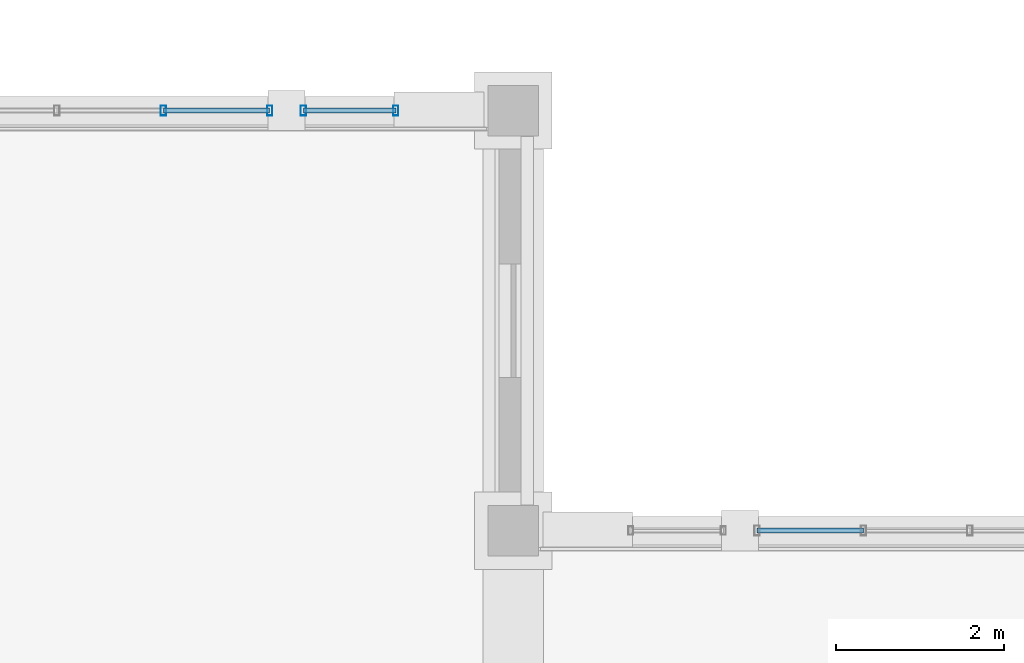
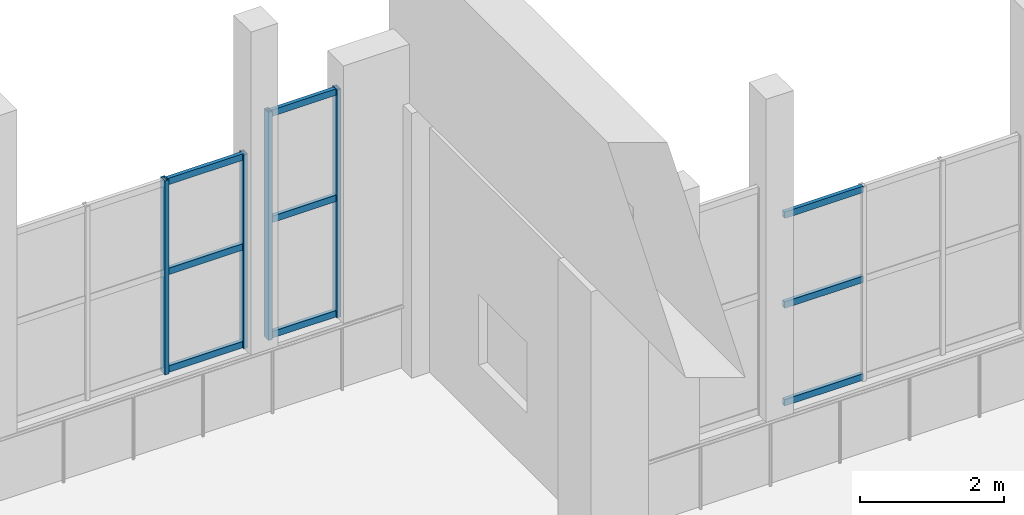
# One storey, part 16 of 46: 13 members, 3 elements without a shape of their own.
"""IFC4 building model written with IfcOpenShell, lengths in metres."""

from ifc_helpers import new_model, si_unit, direction, frame, origin, origin_2d, place, context, subcontext, project, spatial, hollow_rectangle, extrude, material, material_profile, profile_set, type_object, element, aggregate, save


model = new_model("IFC4")

# Units and contexts
model_context = context("Model", 3, precision=1e-05, world=origin(), true_north=direction((0.0, 1.0)))
body_context = subcontext(model_context, "Body", "Model", "MODEL_VIEW")
ifc_project = project(units=[si_unit("LENGTHUNIT", "METRE"), si_unit("AREAUNIT", "SQUARE_METRE"), si_unit("VOLUMEUNIT", "CUBIC_METRE"), si_unit("PLANEANGLEUNIT", "RADIAN"), si_unit("MASSUNIT", "GRAM", prefix="KILO")], contexts=[model_context])

# Site, building, storey
site_placement = place(None, origin())
site = spatial("IfcSite", under=ifc_project, at=site_placement, CompositionType="ELEMENT")
building_placement = place(site_placement, origin())
building = spatial("IfcBuilding", under=site, at=building_placement, Name="Mavantir Sound Aquarium", CompositionType="ELEMENT")
storey_placement = place(building_placement, frame((0.0, 0.0, 15.300048828125)))
storey = spatial("IfcBuildingStorey", under=building, at=storey_placement, Name="L03", CompositionType="ELEMENT", Elevation=15.300048828125)

# Curtain wall, members
ifc_material_1 = material(Name="Anodised Marine Aluminium and Low-E Glass", Category="aluminium")
curtain_wall_type_1 = type_object("IfcCurtainWallType", Name="CW-T01", PredefinedType="USERDEFINED", material=ifc_material_1)
curtain_wall_1_placement = place(storey_placement, origin())
curtain_wall_1 = element("IfcCurtainWall", 1, at=curtain_wall_1_placement, inside=storey, type_object=curtain_wall_type_1, Name="L03 unitised curtain wall CW-01 168", ObjectType="UNITISED GLAZING", PredefinedType="USERDEFINED")
ifc_material_2 = material(Name="Anodised Marine Aluminium 6063-T6", Category="aluminium")
ifc_material_profile_1 = material_profile(ifc_material_2, hollow_rectangle(XDim=0.06494140625, YDim=0.1201171875, WallThickness=0.00390625, at=origin_2d()), Name="ALU-MULLION-120X65")
ifc_profile_set_1 = profile_set([ifc_material_profile_1], Name="Anodised Marine Aluminium 6063-T6")
member_type_1 = type_object("IfcMemberType", Name="CW-MUL-120", PredefinedType="MULLION", material=ifc_profile_set_1)
member_1_placement = place(storey_placement, frame((151.833251953125, 70.800048828125, 1.119873046875), z_axis=(0.0, 0.0, 1.0), x_axis=(1.0, 0.0, 0.0)))
member_1 = element("IfcMember", 2, at=member_1_placement, type_object=member_type_1, Name="CW-DIOC-5N-C vertical mullion 3", PredefinedType="MULLION", context=body_context, shape_type="SweptSolid", body=[
    extrude(hollow_rectangle(XDim=0.06494140625, YDim=0.1201171875, WallThickness=0.00390625, at=origin_2d()), origin(), (0.0, 0.0, 1.0), 3.300048828125),
])
member_2_placement = place(storey_placement, frame((153.10009765625, 70.800048828125, 1.119873046875), z_axis=(0.0, 0.0, 1.0), x_axis=(1.0, 0.0, 0.0)))
member_2 = element("IfcMember", 3, at=member_2_placement, type_object=member_type_1, Name="CW-DIOC-5N-C vertical mullion 4", PredefinedType="MULLION", context=body_context, shape_type="SweptSolid", body=[
    extrude(hollow_rectangle(XDim=0.06494140625, YDim=0.1201171875, WallThickness=0.00390625, at=origin_2d()), origin(), (0.0, 0.0, 1.0), 3.300048828125),
])

curtain_wall_type_2 = type_object("IfcCurtainWallType", Name="CW-T03", PredefinedType="USERDEFINED", material=ifc_material_1)
curtain_wall_2_placement = place(storey_placement, origin())
curtain_wall_2 = element("IfcCurtainWall", 4, at=curtain_wall_2_placement, inside=storey, type_object=curtain_wall_type_2, Name="L03 unitised curtain wall CW-03 170", ObjectType="UNITISED GLAZING", PredefinedType="USERDEFINED")
member_3_placement = place(storey_placement, frame((153.5, 70.800048828125, 1.119873046875), z_axis=(0.0, 0.0, 1.0), x_axis=(1.0, 0.0, 0.0)))
member_3 = element("IfcMember", 5, at=member_3_placement, type_object=member_type_1, Name="CW-DIOC-5N-R vertical mullion 1", PredefinedType="MULLION", context=body_context, shape_type="SweptSolid", body=[
    extrude(hollow_rectangle(XDim=0.06494140625, YDim=0.1201171875, WallThickness=0.00390625, at=origin_2d()), origin(), (0.0, 0.0, 1.0), 3.880126953125),
])
member_4_placement = place(storey_placement, frame((154.60009765625, 70.800048828125, 1.119873046875), z_axis=(0.0, 0.0, 1.0), x_axis=(1.0, 0.0, 0.0)))
member_4 = element("IfcMember", 6, at=member_4_placement, type_object=member_type_1, Name="CW-DIOC-5N-R vertical mullion 2", PredefinedType="MULLION", context=body_context, shape_type="SweptSolid", body=[
    extrude(hollow_rectangle(XDim=0.06494140625, YDim=0.1201171875, WallThickness=0.00390625, at=origin_2d()), origin(), (0.0, 0.0, 1.0), 3.880126953125),
])

# Member
ifc_material_profile_2 = material_profile(ifc_material_2, hollow_rectangle(XDim=0.06005859375, YDim=0.110107421875, WallThickness=0.00390625, at=origin_2d()), Name="ALU-TRANSOM-110X60")
ifc_profile_set_2 = profile_set([ifc_material_profile_2], Name="Anodised Marine Aluminium 6063-T6")
member_type_2 = type_object("IfcMemberType", Name="CW-TRN-110", PredefinedType="USERDEFINED", material=ifc_profile_set_2)
member_5_placement = place(storey_placement, frame((151.833251953125, 70.800048828125, 1.175048828125), z_axis=(1.0, 0.0, 0.0), x_axis=(0.0, 1.0, 0.0)))
member_5 = element("IfcMember", 7, at=member_5_placement, type_object=member_type_2, Name="CW-DIOC-5N-C transom 3.1", ObjectType="TRANSOM", PredefinedType="USERDEFINED", context=body_context, shape_type="SweptSolid", body=[
    extrude(hollow_rectangle(XDim=0.06005859375, YDim=0.110107421875, WallThickness=0.00390625, at=origin_2d()), origin(), (0.0, 0.0, 1.0), 1.266845703125),
])

member_6_placement = place(storey_placement, frame((151.833251953125, 70.800048828125, 2.8359375), z_axis=(1.0, 0.0, 0.0), x_axis=(0.0, 1.0, 0.0)))
member_6 = element("IfcMember", 8, at=member_6_placement, type_object=member_type_2, Name="CW-DIOC-5N-C transom 3.2", ObjectType="TRANSOM", PredefinedType="USERDEFINED", context=body_context, shape_type="SweptSolid", body=[
    extrude(hollow_rectangle(XDim=0.06005859375, YDim=0.110107421875, WallThickness=0.00390625, at=origin_2d()), origin(), (0.0, 0.0, 1.0), 1.266845703125),
])

member_7_placement = place(storey_placement, frame((151.833251953125, 70.800048828125, 4.364990234375), z_axis=(1.0, 0.0, 0.0), x_axis=(0.0, 1.0, 0.0)))
member_7 = element("IfcMember", 9, at=member_7_placement, type_object=member_type_2, Name="CW-DIOC-5N-C transom 3.3", ObjectType="TRANSOM", PredefinedType="USERDEFINED", context=body_context, shape_type="SweptSolid", body=[
    extrude(hollow_rectangle(XDim=0.06005859375, YDim=0.110107421875, WallThickness=0.00390625, at=origin_2d()), origin(), (0.0, 0.0, 1.0), 1.266845703125),
])

aggregate(curtain_wall_1, [member_1, member_2, member_5, member_6, member_7])

member_8_placement = place(storey_placement, frame((153.5, 70.800048828125, 1.175048828125), z_axis=(1.0, 0.0, 0.0), x_axis=(0.0, 1.0, 0.0)))
member_8 = element("IfcMember", 10, at=member_8_placement, type_object=member_type_2, Name="CW-DIOC-5N-R transom 1.1", ObjectType="TRANSOM", PredefinedType="USERDEFINED", context=body_context, shape_type="SweptSolid", body=[
    extrude(hollow_rectangle(XDim=0.06005859375, YDim=0.110107421875, WallThickness=0.00390625, at=origin_2d()), origin(), (0.0, 0.0, 1.0), 1.10009765625),
])

member_9_placement = place(storey_placement, frame((153.5, 70.800048828125, 3.137451171875), z_axis=(1.0, 0.0, 0.0), x_axis=(0.0, 1.0, 0.0)))
member_9 = element("IfcMember", 11, at=member_9_placement, type_object=member_type_2, Name="CW-DIOC-5N-R transom 1.2", ObjectType="TRANSOM", PredefinedType="USERDEFINED", context=body_context, shape_type="SweptSolid", body=[
    extrude(hollow_rectangle(XDim=0.06005859375, YDim=0.110107421875, WallThickness=0.00390625, at=origin_2d()), origin(), (0.0, 0.0, 1.0), 1.10009765625),
])

member_10_placement = place(storey_placement, frame((153.5, 70.800048828125, 4.945068359375), z_axis=(1.0, 0.0, 0.0), x_axis=(0.0, 1.0, 0.0)))
member_10 = element("IfcMember", 12, at=member_10_placement, type_object=member_type_2, Name="CW-DIOC-5N-R transom 1.3", ObjectType="TRANSOM", PredefinedType="USERDEFINED", context=body_context, shape_type="SweptSolid", body=[
    extrude(hollow_rectangle(XDim=0.06005859375, YDim=0.110107421875, WallThickness=0.00390625, at=origin_2d()), origin(), (0.0, 0.0, 1.0), 1.10009765625),
])

aggregate(curtain_wall_2, [member_3, member_4, member_8, member_9, member_10])

# Curtain wall, members
curtain_wall_type_3 = type_object("IfcCurtainWallType", Name="CW-T07", PredefinedType="USERDEFINED", material=ifc_material_1)
curtain_wall_3_placement = place(storey_placement, origin())
curtain_wall_3 = element("IfcCurtainWall", 13, at=curtain_wall_3_placement, inside=storey, type_object=curtain_wall_type_3, Name="L03 unitised curtain wall CW-07 174", ObjectType="UNITISED GLAZING", PredefinedType="USERDEFINED")
member_11_placement = place(storey_placement, frame((158.89990234375, 65.800048828125, 1.175048828125), z_axis=(1.0, 0.0, 0.0), x_axis=(0.0, 1.0, 0.0)))
member_11 = element("IfcMember", 14, at=member_11_placement, type_object=member_type_2, Name="CW-DIOC-6N-C transom 1.1", ObjectType="TRANSOM", PredefinedType="USERDEFINED", context=body_context, shape_type="SweptSolid", body=[
    extrude(hollow_rectangle(XDim=0.06005859375, YDim=0.110107421875, WallThickness=0.00390625, at=origin_2d()), origin(), (0.0, 0.0, 1.0), 1.266845703125),
])
member_12_placement = place(storey_placement, frame((158.89990234375, 65.800048828125, 2.8359375), z_axis=(1.0, 0.0, 0.0), x_axis=(0.0, 1.0, 0.0)))
member_12 = element("IfcMember", 15, at=member_12_placement, type_object=member_type_2, Name="CW-DIOC-6N-C transom 1.2", ObjectType="TRANSOM", PredefinedType="USERDEFINED", context=body_context, shape_type="SweptSolid", body=[
    extrude(hollow_rectangle(XDim=0.06005859375, YDim=0.110107421875, WallThickness=0.00390625, at=origin_2d()), origin(), (0.0, 0.0, 1.0), 1.266845703125),
])
member_13_placement = place(storey_placement, frame((158.89990234375, 65.800048828125, 4.364990234375), z_axis=(1.0, 0.0, 0.0), x_axis=(0.0, 1.0, 0.0)))
member_13 = element("IfcMember", 16, at=member_13_placement, type_object=member_type_2, Name="CW-DIOC-6N-C transom 1.3", ObjectType="TRANSOM", PredefinedType="USERDEFINED", context=body_context, shape_type="SweptSolid", body=[
    extrude(hollow_rectangle(XDim=0.06005859375, YDim=0.110107421875, WallThickness=0.00390625, at=origin_2d()), origin(), (0.0, 0.0, 1.0), 1.266845703125),
])
aggregate(curtain_wall_3, [member_11, member_12, member_13])

save(model, "model.ifc")
